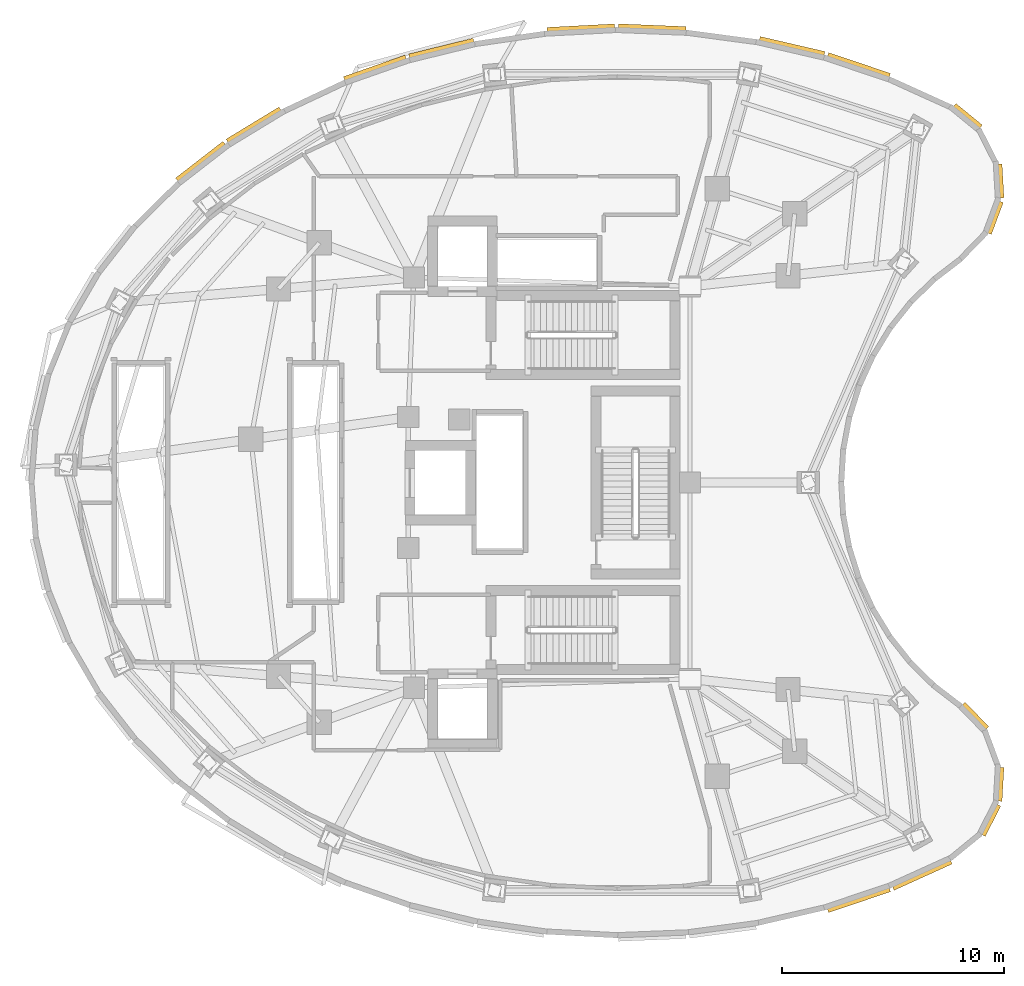
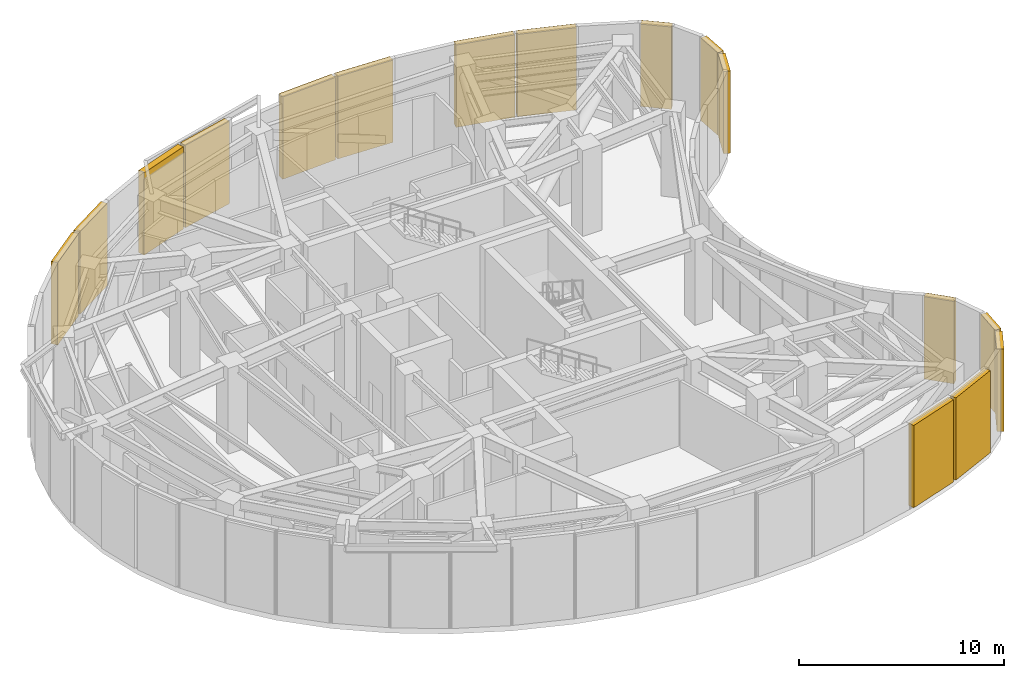
# One storey, part 10 of 10: 16 shading devices.
"""IFC4 building model written with IfcOpenShell, lengths in metres."""

from ifc_helpers import new_model, si_unit, direction, frame, origin, origin_2d, place, context, subcontext, project, spatial, rectangle, extrude, material, layer, layer_set, type_object, element, save


model = new_model("IFC4")

# Units and contexts
model_context = context("Model", 3, precision=1e-05, world=origin(), true_north=direction((0.0, 1.0)))
body_context = subcontext(model_context, "Body", "Model", "MODEL_VIEW")
ifc_project = project(units=[si_unit("LENGTHUNIT", "METRE"), si_unit("AREAUNIT", "SQUARE_METRE"), si_unit("VOLUMEUNIT", "CUBIC_METRE"), si_unit("PLANEANGLEUNIT", "RADIAN"), si_unit("MASSUNIT", "GRAM", prefix="KILO")], contexts=[model_context])

# Site, building, storey
site_placement = place(None, origin())
site = spatial("IfcSite", under=ifc_project, at=site_placement, CompositionType="ELEMENT")
building_placement = place(site_placement, origin())
building = spatial("IfcBuilding", under=site, at=building_placement, Name="Korentha Bioscience Tower", CompositionType="ELEMENT")
storey_placement = place(building_placement, frame((0.0, 0.0, 148.800048828125)))
storey = spatial("IfcBuildingStorey", under=building, at=storey_placement, Name="L34", CompositionType="ELEMENT", Elevation=148.800048828125)

# Shading devices
ifc_material = material(Name="Powder-Coated Aluminium Louvre", Category="aluminium")
ifc_layer = layer(ifc_material, 0.1201171875, Name="Powder-Coated Aluminium Louvre")
ifc_layer_set = layer_set([ifc_layer], Name="Powder-Coated Aluminium Louvre (LV-350)")
shading_device_type = type_object("IfcShadingDeviceType", Name="Acoustic Weatherproof Aluminium Plant Louvre 350", PredefinedType="USERDEFINED", material=ifc_layer_set)
shading_device_1_placement = place(storey_placement, frame((45.144775390625, 45.752197265625, 0.10009765625), z_axis=(0.0, 0.0, 1.0), x_axis=(-0.947666235973, 0.319262752598, 0.0)))
element("IfcShadingDevice", 1, at=shading_device_1_placement, inside=storey, type_object=shading_device_type, Name="L34 Acoustic Plant Louvre 02", ObjectType="LOUVRE", PredefinedType="USERDEFINED", context=body_context, shape_type="SweptSolid", body=[
    extrude(rectangle(XDim=2.942138671875, YDim=0.35009765625, at=origin_2d()), origin(), (0.0, 0.0, 1.0), 4.89990234375),
])
shading_device_2_placement = place(storey_placement, frame((42.14013671875, 46.60302734375, 0.10009765625), z_axis=(0.0, 0.0, 1.0), x_axis=(-0.974180801162, 0.225769277468, 0.0)))
element("IfcShadingDevice", 2, at=shading_device_2_placement, inside=storey, type_object=shading_device_type, Name="L34 Acoustic Plant Louvre 03", ObjectType="LOUVRE", PredefinedType="USERDEFINED", context=body_context, shape_type="SweptSolid", body=[
    extrude(rectangle(XDim=2.994384765625, YDim=0.35009765625, at=origin_2d()), origin(), (0.0, 0.0, 1.0), 4.89990234375),
])
shading_device_3_placement = place(storey_placement, frame((35.842529296875, 47.447021484375, 0.10009765625), z_axis=(0.0, 0.0, 1.0), x_axis=(-0.999189865519, 0.040244411333, 0.0)))
element("IfcShadingDevice", 3, at=shading_device_3_placement, inside=storey, type_object=shading_device_type, Name="L34 Acoustic Plant Louvre 05", ObjectType="LOUVRE", PredefinedType="USERDEFINED", context=body_context, shape_type="SweptSolid", body=[
    extrude(rectangle(XDim=3.0478515625, YDim=0.35009765625, at=origin_2d()), origin(), (0.0, 0.0, 1.0), 4.89990234375),
])
shading_device_4_placement = place(storey_placement, frame((32.640625, 47.427734375, 0.10009765625), z_axis=(0.0, 0.0, 1.0), x_axis=(-0.998638170073, -0.052170923642, 0.0)))
element("IfcShadingDevice", 4, at=shading_device_4_placement, inside=storey, type_object=shading_device_type, Name="L34 Acoustic Plant Louvre 06", ObjectType="LOUVRE", PredefinedType="USERDEFINED", context=body_context, shape_type="SweptSolid", body=[
    extrude(rectangle(XDim=3.046875, YDim=0.35009765625, at=origin_2d()), origin(), (0.0, 0.0, 1.0), 4.89990234375),
])
shading_device_5_placement = place(storey_placement, frame((26.36083984375, 46.5087890625, 0.10009765625), z_axis=(0.0, 0.0, 1.0), x_axis=(-0.971319021048, -0.23778006508, 0.0)))
element("IfcShadingDevice", 5, at=shading_device_5_placement, inside=storey, type_object=shading_device_type, Name="L34 Acoustic Plant Louvre 08", ObjectType="LOUVRE", PredefinedType="USERDEFINED", context=body_context, shape_type="SweptSolid", body=[
    extrude(rectangle(XDim=2.98876953125, YDim=0.35009765625, at=origin_2d()), origin(), (0.0, 0.0, 1.0), 4.89990234375),
])
shading_device_6_placement = place(storey_placement, frame((23.373779296875, 45.62255859375, 0.10009765625), z_axis=(0.0, 0.0, 1.0), x_axis=(-0.943504112143, -0.331360815983, 0.0)))
element("IfcShadingDevice", 6, at=shading_device_6_placement, inside=storey, type_object=shading_device_type, Name="L34 Acoustic Plant Louvre 09", ObjectType="LOUVRE", PredefinedType="USERDEFINED", context=body_context, shape_type="SweptSolid", body=[
    extrude(rectangle(XDim=2.93408203125, YDim=0.35009765625, at=origin_2d()), origin(), (0.0, 0.0, 1.0), 4.89990234375),
])
shading_device_7_placement = place(storey_placement, frame((17.920654296875, 43.059326171875, 0.10009765625), z_axis=(0.0, 0.0, 1.0), x_axis=(-0.854556204173, -0.519358925897, 0.0)))
element("IfcShadingDevice", 7, at=shading_device_7_placement, inside=storey, type_object=shading_device_type, Name="L34 Acoustic Plant Louvre 11", ObjectType="LOUVRE", PredefinedType="USERDEFINED", context=body_context, shape_type="SweptSolid", body=[
    extrude(rectangle(XDim=2.786376953125, YDim=0.35009765625, at=origin_2d()), origin(), (0.0, 0.0, 1.0), 4.89990234375),
])
shading_device_8_placement = place(storey_placement, frame((15.533203125, 41.419921875, 0.10009765625), z_axis=(0.0, 0.0, 1.0), x_axis=(-0.790553865699, -0.612392509286, 0.0)))
element("IfcShadingDevice", 8, at=shading_device_8_placement, inside=storey, type_object=shading_device_type, Name="L34 Acoustic Plant Louvre 12", ObjectType="LOUVRE", PredefinedType="USERDEFINED", context=body_context, shape_type="SweptSolid", body=[
    extrude(rectangle(XDim=2.69970703125, YDim=0.35009765625, at=origin_2d()), origin(), (0.0, 0.0, 1.0), 4.89990234375),
])
shading_device_9_placement = place(storey_placement, frame((45.144775390625, 8.247802734375, 0.10009765625), z_axis=(0.0, 0.0, 1.0), x_axis=(0.947666235973, 0.319262752598, 0.0)))
element("IfcShadingDevice", 9, at=shading_device_9_placement, inside=storey, type_object=shading_device_type, Name="L34 Acoustic Plant Louvre 35", ObjectType="LOUVRE", PredefinedType="USERDEFINED", context=body_context, shape_type="SweptSolid", body=[
    extrude(rectangle(XDim=2.942138671875, YDim=0.35009765625, at=origin_2d()), origin(), (0.0, 0.0, 1.0), 4.89990234375),
])
shading_device_10_placement = place(storey_placement, frame((47.994873046875, 9.369384765625, 0.10009765625), z_axis=(0.0, 0.0, 1.0), x_axis=(0.910640445545, 0.413199684097, 0.0)))
element("IfcShadingDevice", 10, at=shading_device_10_placement, inside=storey, type_object=shading_device_type, Name="L34 Acoustic Plant Louvre 36", ObjectType="LOUVRE", PredefinedType="USERDEFINED", context=body_context, shape_type="SweptSolid", body=[
    extrude(rectangle(XDim=2.875244140625, YDim=0.35009765625, at=origin_2d()), origin(), (0.0, 0.0, 1.0), 4.89990234375),
])
for number, where, z_axis, x_axis, name in (
    (11, (51.061279296875, 11.8115234375, 0.10009765625), (0.0, 0.0, 1.0), (0.454245400151, 0.890876600008, 0.0), "L34 Acoustic Plant Louvre 38"),
    (12, (51.4921875, 13.40185546875, 0.10009765625), (0.0, 0.0, 1.0), (0.05751269781, 0.99834477491, 0.0), "L34 Acoustic Plant Louvre 39"),
    (13, (50.366943359375, 16.423583984375, 0.10009765625), (0.0, 0.0, 1.0), (-0.696417187827, 0.717637164938, 0.0), "L34 Acoustic Plant Louvre 41"),
    (14, (51.246826171875, 38.96923828125, 0.10009765625), (0.0, 0.0, 1.0), (0.34893294091, 0.937147695269, 0.0), "L34 Acoustic Plant Louvre 59"),
    (15, (51.4921875, 40.59814453125, 0.10009765625), (0.0, 0.0, 1.0), (-0.05751269781, 0.99834477491, 0.0), "L34 Acoustic Plant Louvre 60"),
    (16, (50.02734375, 43.470947265625, 0.10009765625), (0.0, 0.0, 1.0), (-0.774233758776, 0.632899744645, 0.0), "L34 Acoustic Plant Louvre 62"),
):
    element("IfcShadingDevice", number, at=place(storey_placement, frame(where, z_axis=z_axis, x_axis=x_axis)), inside=storey, type_object=shading_device_type, Name=name, ObjectType="LOUVRE", PredefinedType="USERDEFINED", context=body_context, shape_type="SweptSolid", body=[
        extrude(rectangle(XDim=1.53173828125, YDim=0.35009765625, at=origin_2d()), origin(), (0.0, 0.0, 1.0), 4.89990234375),
    ])

save(model, "model.ifc")
